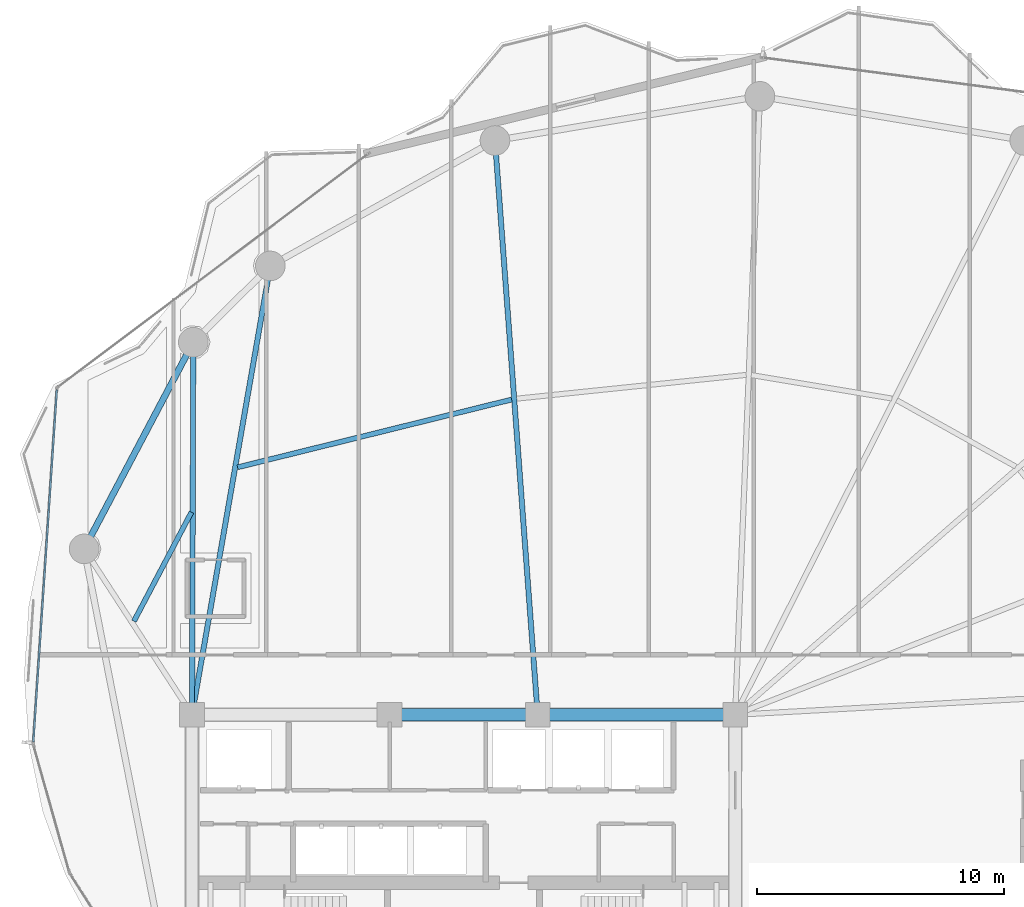
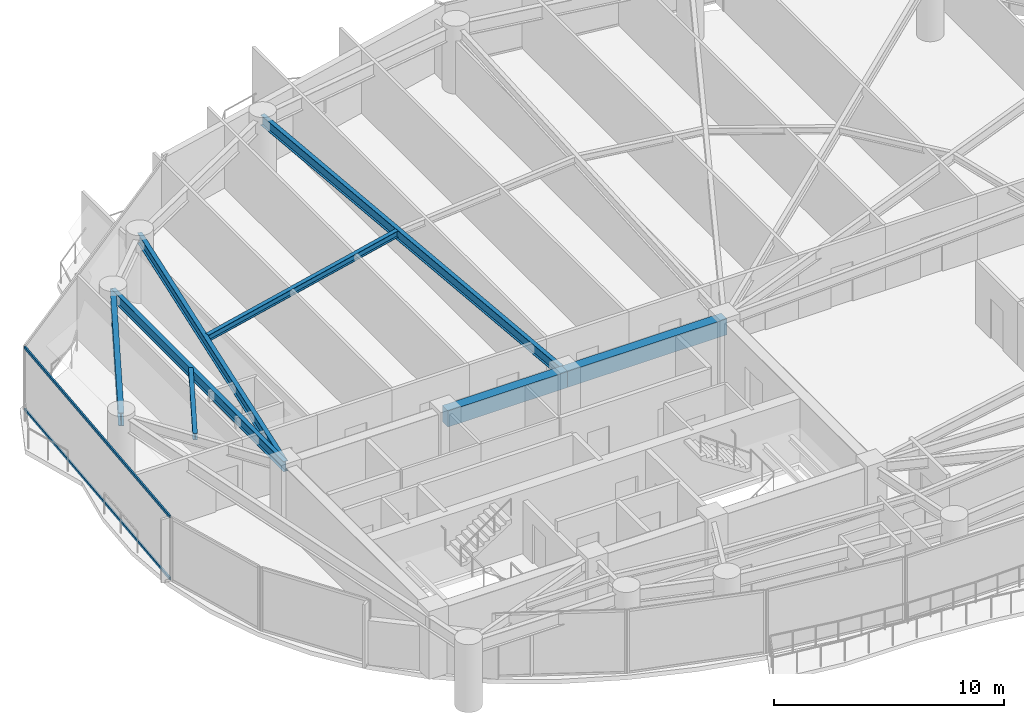
# One storey, part 8 of 31: 8 beams, 2 members, 1 element without a shape of its own.
"""IFC4 building model written with IfcOpenShell, lengths in metres."""

from ifc_helpers import new_model, si_unit, direction, frame, origin, origin_2d, place, context, subcontext, project, spatial, rectangle, hollow_rectangle, i_section, extrude, material, layer, layer_set, material_profile, profile_set, type_object, element, aggregate, save


model = new_model("IFC4")

# Units and contexts
model_context = context("Model", 3, precision=1e-05, world=origin(), true_north=direction((0.0, 1.0)))
body_context = subcontext(model_context, "Body", "Model", "MODEL_VIEW")
ifc_project = project(units=[si_unit("LENGTHUNIT", "METRE"), si_unit("AREAUNIT", "SQUARE_METRE"), si_unit("VOLUMEUNIT", "CUBIC_METRE"), si_unit("PLANEANGLEUNIT", "RADIAN"), si_unit("MASSUNIT", "GRAM", prefix="KILO")], contexts=[model_context])

# Site, building, storey
site_placement = place(None, origin())
site = spatial("IfcSite", under=ifc_project, at=site_placement, CompositionType="ELEMENT")
building_placement = place(site_placement, origin())
building = spatial("IfcBuilding", under=site, at=building_placement, Name="Kazevale Care Tower and Concert Hall", CompositionType="ELEMENT")
storey_placement = place(building_placement, frame((0.0, 0.0, 124.199951171875)))
storey = spatial("IfcBuildingStorey", under=building, at=storey_placement, Name="L32", CompositionType="ELEMENT", Elevation=124.199951171875)

# Curtain wall, members
ifc_material_1 = material(Name="Aluminium 6063-T6 and Low-E Glass", Category="aluminium")
ifc_layer = layer(ifc_material_1, 0.179931640625)
ifc_layer_set = layer_set([ifc_layer], Name="Aluminium 6063-T6 and Low-E Glass")
curtain_wall_type = type_object("IfcCurtainWallType", Name="Waist & Upper Residential Curtain Wall CW-4", PredefinedType="NOTDEFINED", material=ifc_layer_set)
curtain_wall_placement = place(storey_placement, origin())
curtain_wall = element("IfcCurtainWall", 1, at=curtain_wall_placement, inside=storey, type_object=curtain_wall_type, Name="cw:L32:f13", PredefinedType="NOTDEFINED")
ifc_material_2 = material(Name="Aluminium 6063-T6", Category="aluminium")
ifc_material_profile_1 = material_profile(ifc_material_2, hollow_rectangle(XDim=0.080078125, YDim=0.139892578125, WallThickness=0.00390625, at=origin_2d()), Name="ALU80x140x4")
ifc_profile_set_1 = profile_set([ifc_material_profile_1], Name="Aluminium 6063-T6")
member_type = type_object("IfcMemberType", Name="CW-4 Transom ALU80x140x4", PredefinedType="USERDEFINED", material=ifc_profile_set_1)
member_1_placement = place(storey_placement, frame((15.5712890625, 35.3017578125, 0.0400390625), z_axis=(0.06662329491, 0.99777820009, 0.0), x_axis=(-0.99777820009, 0.06662329491, 0.0)))
member_1 = element("IfcMember", 2, at=member_1_placement, type_object=member_type, Name="CW-4 transom 1.1", ObjectType="TRANSOM", PredefinedType="USERDEFINED", context=body_context, shape_type="SweptSolid", body=[
    extrude(hollow_rectangle(XDim=0.080078125, YDim=0.139892578125, WallThickness=0.00390625, at=origin_2d()), origin(), (0.0, 0.0, 1.0), 14.295166015625),
])
member_2_placement = place(storey_placement, frame((15.5712890625, 35.3017578125, 3.320068359375), z_axis=(0.06662329491, 0.99777820009, 0.0), x_axis=(-0.99777820009, 0.06662329491, 0.0)))
member_2 = element("IfcMember", 3, at=member_2_placement, type_object=member_type, Name="CW-4 transom 1.2", ObjectType="TRANSOM", PredefinedType="USERDEFINED", context=body_context, shape_type="SweptSolid", body=[
    extrude(hollow_rectangle(XDim=0.080078125, YDim=0.139892578125, WallThickness=0.00390625, at=origin_2d()), origin(), (0.0, 0.0, 1.0), 14.295166015625),
])
aggregate(curtain_wall, [member_1, member_2])

# Beams
ifc_material_3 = material(Name="Concrete C60", Category="concrete")
ifc_material_profile_2 = material_profile(ifc_material_3, rectangle(XDim=0.5, YDim=0.85009765625, at=origin_2d()), Name="RC-B500x850")
ifc_profile_set_2 = profile_set([ifc_material_profile_2], Name="Concrete C60")
beam_type_1 = type_object("IfcBeamType", Name="Core Coupling Beam RC500x850", PredefinedType="LINTEL", material=ifc_profile_set_2)
beam_1_placement = place(storey_placement, frame((44.0, 36.39990234375, 2.93505859375), z_axis=(-1.0, 0.0, 0.0), x_axis=(0.0, -1.0, 0.0)))
element("IfcBeam", 4, at=beam_1_placement, inside=storey, type_object=beam_type_1, Name="beam:L32:coretie:5", PredefinedType="LINTEL", context=body_context, shape_type="SweptSolid", body=[
    extrude(rectangle(XDim=0.5, YDim=0.85009765625, at=origin_2d()), origin(), (0.0, 0.0, 1.0), 8.0),
])
beam_2_placement = place(storey_placement, frame((36.0, 36.39990234375, 2.93505859375), z_axis=(-1.0, 0.0, 0.0), x_axis=(0.0, -1.0, 0.0)))
element("IfcBeam", 5, at=beam_2_placement, inside=storey, type_object=beam_type_1, Name="beam:L32:coretie:6", PredefinedType="LINTEL", context=body_context, shape_type="SweptSolid", body=[
    extrude(rectangle(XDim=0.5, YDim=0.85009765625, at=origin_2d()), origin(), (0.0, 0.0, 1.0), 6.0),
])
ifc_material_4 = material(Name="Steel ASTM A572 Gr 50", Category="steel")
ifc_material_profile_3 = material_profile(ifc_material_4, i_section(OverallWidth=0.2119140625, OverallDepth=0.5439453125, WebThickness=0.01318359375, FlangeThickness=0.021240234375, at=origin_2d()), Name="W530x123")
ifc_profile_set_3 = profile_set([ifc_material_profile_3], Name="Steel ASTM A572 Gr 50")
beam_type_2 = type_object("IfcBeamType", Name="Radial Floor Girder W530x123", PredefinedType="BEAM", material=ifc_profile_set_3)
beam_3_placement = place(storey_placement, frame((36.0, 36.39990234375, 3.088134765625), z_axis=(-0.074170876808, 0.997245547011, 0.0), x_axis=(-0.997245547011, -0.074170876808, 0.0)))
element("IfcBeam", 6, at=beam_3_placement, inside=storey, type_object=beam_type_2, Name="beam:L32:rad:06", PredefinedType="BEAM", context=body_context, shape_type="SweptSolid", body=[
    extrude(i_section(OverallWidth=0.2119140625, OverallDepth=0.5439453125, WebThickness=0.01318359375, FlangeThickness=0.021240234375, at=origin_2d()), origin(), (0.0, 0.0, 1.0), 23.32421875),
])
beam_4_placement = place(storey_placement, frame((22.0, 36.39990234375, 3.088134765625), z_axis=(0.171769935245, 0.985137091651, 0.0), x_axis=(-0.985137091651, 0.171769935245, 0.0)))
element("IfcBeam", 7, at=beam_4_placement, inside=storey, type_object=beam_type_2, Name="beam:L32:rad:07", PredefinedType="BEAM", context=body_context, shape_type="SweptSolid", body=[
    extrude(i_section(OverallWidth=0.2119140625, OverallDepth=0.5439453125, WebThickness=0.01318359375, FlangeThickness=0.021240234375, at=origin_2d()), origin(), (0.0, 0.0, 1.0), 18.454345703125),
])
beam_5_placement = place(storey_placement, frame((22.0, 36.39990234375, 3.088134765625), z_axis=(0.003316650851, 0.999994499898, 0.0), x_axis=(-0.999994499898, 0.003316650851, 0.0)))
element("IfcBeam", 8, at=beam_5_placement, inside=storey, type_object=beam_type_2, Name="beam:L32:rad:08", PredefinedType="BEAM", context=body_context, shape_type="SweptSolid", body=[
    extrude(i_section(OverallWidth=0.2119140625, OverallDepth=0.5439453125, WebThickness=0.01318359375, FlangeThickness=0.021240234375, at=origin_2d()), origin(), (0.0, 0.0, 1.0), 15.090087890625),
])
ifc_material_profile_4 = material_profile(ifc_material_4, i_section(OverallWidth=0.205078125, OverallDepth=0.35400390625, WebThickness=0.009521484375, FlangeThickness=0.016845703125, at=origin_2d()), Name="W360x79")
ifc_profile_set_4 = profile_set([ifc_material_profile_4], Name="Steel ASTM A572 Gr 50")
beam_type_3 = type_object("IfcBeamType", Name="Secondary Floor Joist W360x79", PredefinedType="JOIST", material=ifc_profile_set_4)
beam_6_placement = place(storey_placement, frame((34.947021484375, 49.16796875, 3.18310546875), z_axis=(-0.970789504014, -0.239932779954, 0.0), x_axis=(0.239932779954, -0.970789504014, 0.0)))
element("IfcBeam", 9, at=beam_6_placement, inside=storey, type_object=beam_type_3, Name="beam:L32:joist:06", PredefinedType="JOIST", context=body_context, shape_type="SweptSolid", body=[
    extrude(i_section(OverallWidth=0.205078125, OverallDepth=0.35400390625, WebThickness=0.009521484375, FlangeThickness=0.016845703125, at=origin_2d()), origin(), (0.0, 0.0, 1.0), 11.43603515625),
])
beam_7_placement = place(storey_placement, frame((21.97802734375, 44.60693359375, 3.18310546875), z_axis=(-0.466809583155, -0.884357853515, 0.0), x_axis=(0.884357853515, -0.466809583155, 0.0)))
element("IfcBeam", 10, at=beam_7_placement, inside=storey, type_object=beam_type_3, Name="beam:L32:joist:08", PredefinedType="JOIST", context=body_context, shape_type="SweptSolid", body=[
    extrude(i_section(OverallWidth=0.205078125, OverallDepth=0.35400390625, WebThickness=0.009521484375, FlangeThickness=0.016845703125, at=origin_2d()), origin(), (0.0, 0.0, 1.0), 4.99560546875),
])
ifc_material_profile_5 = material_profile(ifc_material_4, i_section(OverallWidth=0.256103515625, OverallDepth=0.693115234375, WebThickness=0.014404296875, FlangeThickness=0.023681640625, at=origin_2d()), Name="W690x170")
ifc_profile_set_5 = profile_set([ifc_material_profile_5], Name="Steel ASTM A572 Gr 50")
beam_type_4 = type_object("IfcBeamType", Name="Waist Ring Beam W690x170", PredefinedType="BEAM", material=ifc_profile_set_5)
beam_8_placement = place(storey_placement, frame((22.050048828125, 51.489990234375, 3.013427734375), z_axis=(-0.466984438127, -0.884265533959, 0.0), x_axis=(0.884265533959, -0.466984438127, 0.0)))
element("IfcBeam", 11, at=beam_8_placement, inside=storey, type_object=beam_type_4, Name="beam:L32:ring:08", PredefinedType="BEAM", context=body_context, shape_type="SweptSolid", body=[
    extrude(i_section(OverallWidth=0.256103515625, OverallDepth=0.693115234375, WebThickness=0.014404296875, FlangeThickness=0.023681640625, at=origin_2d()), origin(), (0.0, 0.0, 1.0), 9.46533203125),
])

save(model, "model.ifc")
